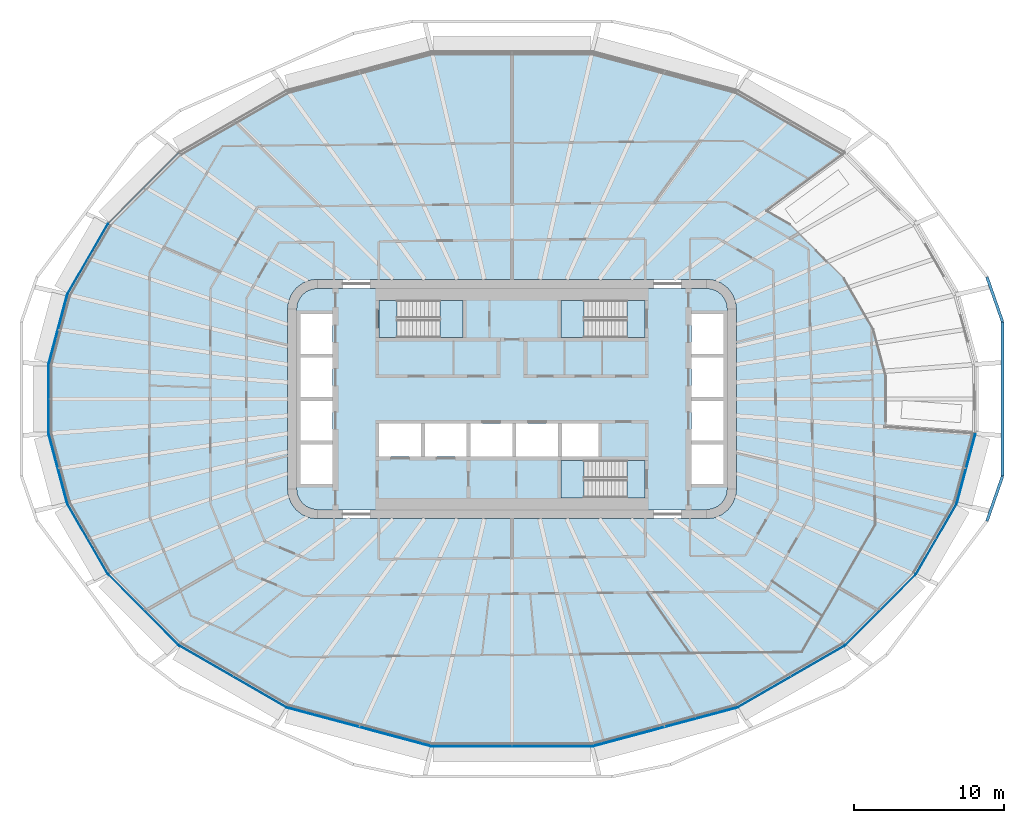
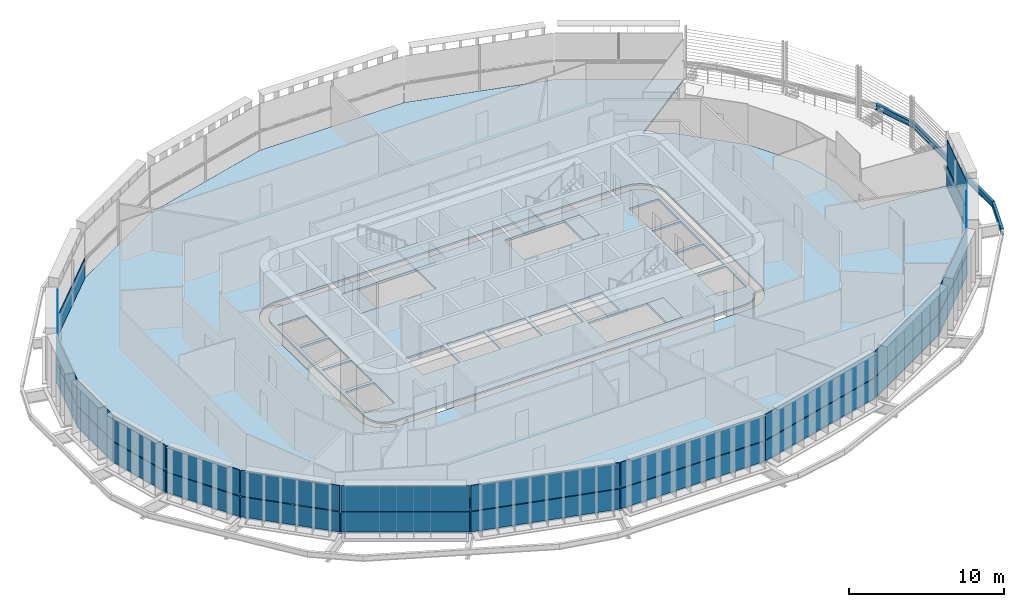
# One storey, part 11 of 24: 29 plates, 8 slabs, 3 beams, 18 elements without a shape of their own.
"""IFC4 building model written with IfcOpenShell, lengths in metres."""

from ifc_helpers import new_model, si_unit, direction, frame, origin, origin_2d, place, context, subcontext, project, spatial, polyline, i_section, outline, extrude, material, layer, layer_set, material_profile, profile_set, type_object, element, aggregate, save


model = new_model("IFC4")

# Units and contexts
model_context = context("Model", 3, precision=1e-05, world=origin(), true_north=direction((0.0, 1.0)))
body_context = subcontext(model_context, "Body", "Model", "MODEL_VIEW")
ifc_project = project(units=[si_unit("LENGTHUNIT", "METRE"), si_unit("AREAUNIT", "SQUARE_METRE"), si_unit("VOLUMEUNIT", "CUBIC_METRE"), si_unit("PLANEANGLEUNIT", "RADIAN"), si_unit("MASSUNIT", "GRAM", prefix="KILO")], contexts=[model_context])

# Site, building, storey
site_placement = place(None, origin())
site = spatial("IfcSite", under=ifc_project, at=site_placement, CompositionType="ELEMENT")
building_placement = place(site_placement, origin())
building = spatial("IfcBuilding", under=site, at=building_placement, Name="Sahrelin Media Tower", CompositionType="ELEMENT")
storey_placement = place(building_placement, frame((0.0, 0.0, 67.199951171875)))
storey = spatial("IfcBuildingStorey", under=building, at=storey_placement, Name="L11", CompositionType="ELEMENT", Elevation=67.199951171875)

# Beams
ifc_material_1 = material(Name="Steel S355", Category="steel")
ifc_material_profile = material_profile(ifc_material_1, i_section(OverallWidth=0.1904296875, OverallDepth=0.45703125, WebThickness=0.009033203125, FlangeThickness=0.014404296875, FilletRadius=0.01025390625, at=origin_2d()), Name="UB 457x191x74")
ifc_profile_set = profile_set([ifc_material_profile], Name="Steel S355")
beam_type = type_object("IfcBeamType", Name="Tie chord TC5", PredefinedType="BEAM", material=ifc_profile_set)
for number, where, z_axis, x_axis, name in (
    (1, (32.7822265625, 5.154052734375, -0.37841796875), (-0.328794988559, 0.944401321207, 0.0), (-0.944401321207, -0.328794988559, 0.0), "Tie chord L11-01"),
    (2, (31.73828125, -8.152587890625, -0.37841796875), (0.328794988559, 0.944401321207, 0.0), (-0.944401321207, 0.328794988559, 0.0), "Tie chord L11-23"),
):
    element("IfcBeam", number, at=place(storey_placement, frame(where, z_axis=z_axis, x_axis=x_axis)), inside=storey, type_object=beam_type, Name=name, PredefinedType="BEAM", context=body_context, shape_type="SweptSolid", body=[
        extrude(i_section(OverallWidth=0.1904296875, OverallDepth=0.45703125, WebThickness=0.009033203125, FlangeThickness=0.014404296875, FilletRadius=0.01025390625, at=origin_2d()), origin(), (0.0, 0.0, 1.0), 3.175048828125),
    ])
beam_placement = place(storey_placement, frame((32.7822265625, -5.154052734375, -0.37841796875), z_axis=(0.0, 1.0, 0.0), x_axis=(-1.0, 0.0, 0.0)))
element("IfcBeam", 3, at=beam_placement, inside=storey, type_object=beam_type, Name="Tie chord L11-24", PredefinedType="BEAM", context=body_context, shape_type="SweptSolid", body=[
    extrude(i_section(OverallWidth=0.1904296875, OverallDepth=0.45703125, WebThickness=0.009033203125, FlangeThickness=0.014404296875, FilletRadius=0.01025390625, at=origin_2d()), origin(), (0.0, 0.0, 1.0), 10.30810546875),
])

# Slabs
ifc_material_2 = material(Name="Concrete C40/50", Category="concrete")
ifc_layer_1 = layer(ifc_material_2, 0.14990234375)
ifc_layer_set_1 = layer_set([ifc_layer_1], Name="Composite floor slab 150")
slab_type_1 = type_object("IfcSlabType", Name="Composite floor slab 150", PredefinedType="FLOOR", material=ifc_layer_set_1)
placement_1 = place(storey_placement, frame((0.0, 0.0, -0.14990234375)))
element("IfcSlab", 4, at=placement_1, inside=storey, type_object=slab_type_1, Name="Floor slab L11", PredefinedType="FLOOR", context=body_context, shape_type="SweptSolid", body=[
    extrude(outline(polyline([(29.7109375, -6.9677734375), (30.95947265625, -2.307861328125), (24.889892578125, -1.855224609375), (24.979736328125, -1.519287109375), (24.979736328125, 1.519287109375), (24.138427734375, 4.65966796875), (22.1787109375, 8.0537109375), (18.568603515625, 11.663818359375), (16.9931640625, 12.573486328125), (22.235107421875, 16.4521484375), (15.02294921875, 20.6162109375), (5.367919921875, 23.203125), (-5.367919921875, 23.203125), (-15.02294921875, 20.6162109375), (-22.240478515625, 16.44921875), (-26.964111328125, 11.7255859375), (-29.7109375, 6.9677734375), (-30.959716796875, 2.306640625), (-30.959716796875, -2.306640625), (-29.7109375, -6.9677734375), (-26.964111328125, -11.7255859375), (-22.240478515625, -16.44921875), (-15.02294921875, -20.6162109375), (-5.367919921875, -23.203125), (5.367919921875, -23.203125), (15.02294921875, -20.6162109375), (22.240478515625, -16.44921875), (26.964111328125, -11.7255859375), (29.7109375, -6.9677734375)]), holes=[polyline([(14.732177734375, 7.0), (14.931884765625, 6.517578125), (15.0, 6.0), (15.0, -6.0), (14.931884765625, -6.517578125), (14.732177734375, -7.0), (14.414306640625, -7.414306640625), (14.0, -7.732177734375), (13.517578125, -7.931884765625), (13.0, -8.0), (-13.0, -8.0), (-13.517578125, -7.931884765625), (-14.0, -7.732177734375), (-14.414306640625, -7.414306640625), (-14.732177734375, -7.0), (-14.931884765625, -6.517578125), (-15.0, -6.0), (-15.0, 6.0), (-14.931884765625, 6.517578125), (-14.732177734375, 7.0), (-14.414306640625, 7.414306640625), (-14.0, 7.732177734375), (-13.517578125, 7.931884765625), (-13.0, 8.0), (13.0, 8.0), (13.517578125, 7.931884765625), (14.0, 7.732177734375), (14.414306640625, 7.414306640625), (14.732177734375, 7.0)])]), origin(), (0.0, 0.0, 1.0), 0.14990234375),
])
ifc_layer_2 = layer(ifc_material_2, 0.14990234375)
ifc_layer_set_2 = layer_set([ifc_layer_2], Name="Core floor slab 150")
slab_type_2 = type_object("IfcSlabType", Name="Core floor slab 150", PredefinedType="FLOOR", material=ifc_layer_set_2)
element("IfcSlab", 5, at=placement_1, inside=storey, type_object=slab_type_2, Name="Core floor", PredefinedType="FLOOR", context=body_context, shape_type="SweptSolid", body=[
    extrude(outline(polyline([(-14.347412109375, 6.361083984375), (-14.39990234375, 5.960693359375), (-14.39990234375, -5.960693359375), (-14.347412109375, -6.361083984375), (-14.2080078125, -6.697509765625), (-13.986328125, -6.986328125), (-13.697509765625, -7.2080078125), (-13.361083984375, -7.347412109375), (-12.960693359375, -7.39990234375), (12.960693359375, -7.39990234375), (13.361083984375, -7.347412109375), (13.697509765625, -7.2080078125), (13.986328125, -6.986328125), (14.2080078125, -6.697509765625), (14.347412109375, -6.361083984375), (14.39990234375, -5.960693359375), (14.39990234375, 5.960693359375), (14.347412109375, 6.361083984375), (14.2080078125, 6.697509765625), (13.986328125, 6.986328125), (13.697509765625, 7.2080078125), (13.361083984375, 7.347412109375), (12.960693359375, 7.39990234375), (-12.960693359375, 7.39990234375), (-13.361083984375, 7.347412109375), (-13.697509765625, 7.2080078125), (-13.986328125, 6.986328125), (-14.2080078125, 6.697509765625), (-14.347412109375, 6.361083984375)]), holes=[polyline([(-12.0, 3.02490234375), (-12.0, 5.675048828125), (-14.14990234375, 5.675048828125), (-14.14990234375, 3.02490234375), (-12.0, 3.02490234375)]), polyline([(-14.14990234375, 0.125), (-12.0, 0.125), (-12.0, 2.77490234375), (-14.14990234375, 2.77490234375), (-14.14990234375, 0.125)]), polyline([(-14.14990234375, -0.125), (-14.14990234375, -2.77490234375), (-12.0, -2.77490234375), (-12.0, -0.125), (-14.14990234375, -0.125)]), polyline([(-12.0, -3.02490234375), (-14.14990234375, -3.02490234375), (-14.14990234375, -5.675048828125), (-12.0, -5.675048828125), (-12.0, -3.02490234375)]), polyline([(14.14990234375, 3.02490234375), (14.14990234375, 5.675048828125), (12.0, 5.675048828125), (12.0, 3.02490234375), (14.14990234375, 3.02490234375)]), polyline([(12.0, 0.125), (14.14990234375, 0.125), (14.14990234375, 2.77490234375), (12.0, 2.77490234375), (12.0, 0.125)]), polyline([(12.0, -0.125), (12.0, -2.77490234375), (14.14990234375, -2.77490234375), (14.14990234375, -0.125), (12.0, -0.125)]), polyline([(14.14990234375, -3.02490234375), (12.0, -3.02490234375), (12.0, -5.675048828125), (14.14990234375, -5.675048828125), (14.14990234375, -3.02490234375)]), polyline([(-6.074951171875, -3.85009765625), (-6.074951171875, -1.64990234375), (-8.875, -1.64990234375), (-8.875, -3.85009765625), (-6.074951171875, -3.85009765625)]), polyline([(-5.824951171875, -3.85009765625), (-3.02490234375, -3.85009765625), (-3.02490234375, -1.64990234375), (-5.824951171875, -1.64990234375), (-5.824951171875, -3.85009765625)]), polyline([(-2.77490234375, -1.64990234375), (-2.77490234375, -3.85009765625), (0.02490234375, -3.85009765625), (0.02490234375, -1.64990234375), (-2.77490234375, -1.64990234375)]), polyline([(3.074951171875, -1.64990234375), (0.27490234375, -1.64990234375), (0.27490234375, -3.85009765625), (3.074951171875, -3.85009765625), (3.074951171875, -1.64990234375)]), polyline([(5.77490234375, -3.85009765625), (5.77490234375, -1.64990234375), (3.324951171875, -1.64990234375), (3.324951171875, -3.85009765625), (5.77490234375, -3.85009765625)]), polyline([(-8.875, 6.60009765625), (-8.875, 4.10009765625), (-3.27490234375, 4.10009765625), (-3.27490234375, 6.60009765625), (-8.875, 6.60009765625)]), polyline([(3.27490234375, 4.10009765625), (8.875, 4.10009765625), (8.875, 6.60009765625), (3.27490234375, 6.60009765625), (3.27490234375, 4.10009765625)]), polyline([(3.27490234375, -4.10009765625), (3.27490234375, -6.60009765625), (8.875, -6.60009765625), (8.875, -4.10009765625), (3.27490234375, -4.10009765625)])]), origin(), (0.0, 0.0, 1.0), 0.14990234375),
])

# Curtain wall, plate
ifc_material_3 = material(Name="Champagne anodised aluminium 6063-T6", Category="aluminium")
ifc_layer_3 = layer(ifc_material_3, 0.14990234375)
ifc_layer_set_3 = layer_set([ifc_layer_3], Name="Tower ribbon curtain wall")
curtain_wall_type = type_object("IfcCurtainWallType", Name="Tower ribbon curtain wall", PredefinedType="NOTDEFINED", material=ifc_layer_set_3)
curtain_wall_1_placement = place(storey_placement, frame((-28.354736328125, 9.356689453125, 0.0), z_axis=(0.0, 0.0, 1.0), x_axis=(1.0, 0.0, 0.0)))
curtain_wall_1 = element("IfcCurtainWall", 6, at=curtain_wall_1_placement, inside=storey, type_object=curtain_wall_type, Name="L11:CW:L11-10", PredefinedType="NOTDEFINED")
ifc_material_4 = material(Name="Clear low-iron glazing", Category="glass")
ifc_layer_4 = layer(ifc_material_4, 0.0400390625)
ifc_layer_set_4 = layer_set([ifc_layer_4], Name="Glazing panel 40 mm CW1")
plate_type_1 = type_object("IfcPlateType", Name="Glazing panel 40 mm CW1", PredefinedType="CURTAIN_PANEL", material=ifc_layer_set_4)
plate_1_placement = place(storey_placement, frame((-27.022216796875, 11.70458984375, 1.630126953125), z_axis=(-0.866033477751, 0.49998601522, 0.0), x_axis=(-0.49998601522, -0.866033477751, 0.0)))
plate_1 = element("IfcPlate", 7, at=plate_1_placement, type_object=plate_type_1, Name="L11:CWP2:L11-10", PredefinedType="CURTAIN_PANEL", context=body_context, shape_type="SweptSolid", body=[
    extrude(outline(polyline([(0.0, 0.0), (5.399169921875, 0.0), (5.399169921875, 2.0185546875), (0.0, 2.0185546875), (0.0, 0.0)])), origin(), (0.0, 0.0, -1.0), 0.0400390625),
])

curtain_wall_2_placement = place(storey_placement, frame((-30.3544921875, 4.642333984375, 0.0), z_axis=(0.0, 0.0, 1.0), x_axis=(1.0, 0.0, 0.0)))
curtain_wall_2 = element("IfcCurtainWall", 8, at=curtain_wall_2_placement, inside=storey, type_object=curtain_wall_type, Name="L11:CW:L11-11", PredefinedType="NOTDEFINED")
plate_2_placement = place(storey_placement, frame((-29.76171875, 6.932373046875, 1.630126953125), z_axis=(-0.965928471546, 0.258809172667, 0.0), x_axis=(-0.258809172667, -0.965928471546, 0.0)))
plate_2 = element("IfcPlate", 9, at=plate_2_placement, type_object=plate_type_1, Name="L11:CWP2:L11-11", PredefinedType="CURTAIN_PANEL", context=body_context, shape_type="SweptSolid", body=[
    extrude(outline(polyline([(0.0, 0.0), (4.730712890625, 0.0), (4.730712890625, 2.0185546875), (0.0, 2.0185546875), (0.0, 0.0)])), origin(), (0.0, 0.0, -1.0), 0.0400390625),
])

curtain_wall_3_placement = place(storey_placement, frame((-30.979736328125, 0.0, 0.0), z_axis=(0.0, 0.0, 1.0), x_axis=(1.0, 0.0, 0.0)))
curtain_wall_3 = element("IfcCurtainWall", 10, at=curtain_wall_3_placement, inside=storey, type_object=curtain_wall_type, Name="L11:CW:L11-12", PredefinedType="NOTDEFINED")
plate_3_placement = place(storey_placement, frame((-30.999755859375, 2.25927734375, 1.630126953125), z_axis=(-1.0, 0.0, 0.0), x_axis=(0.0, -1.0, 0.0)))
plate_3 = element("IfcPlate", 11, at=plate_3_placement, type_object=plate_type_1, Name="L11:CWP2:L11-12", PredefinedType="CURTAIN_PANEL", context=body_context, shape_type="SweptSolid", body=[
    extrude(outline(polyline([(0.0, 0.0), (4.5185546875, 0.0), (4.5185546875, 2.0185546875), (0.0, 2.0185546875), (0.0, 0.0)])), origin(), (0.0, 0.0, -1.0), 0.0400390625),
])

curtain_wall_4_placement = place(storey_placement, frame((-30.354736328125, -4.642333984375, 0.0), z_axis=(0.0, 0.0, 1.0), x_axis=(1.0, 0.0, 0.0)))
curtain_wall_4 = element("IfcCurtainWall", 12, at=curtain_wall_4_placement, inside=storey, type_object=curtain_wall_type, Name="L11:CW:L11-13", PredefinedType="NOTDEFINED")
plate_4_placement = place(storey_placement, frame((-30.986083984375, -2.36279296875, 1.630126953125), z_axis=(-0.965928471546, -0.258809172667, 0.0), x_axis=(0.258809172667, -0.965928471546, 0.0)))
plate_4 = element("IfcPlate", 13, at=plate_4_placement, type_object=plate_type_1, Name="L11:CWP2:L11-13", PredefinedType="CURTAIN_PANEL", context=body_context, shape_type="SweptSolid", body=[
    extrude(outline(polyline([(0.0, 0.0), (4.730712890625, 0.0), (4.730712890625, 2.0185546875), (0.0, 2.0185546875), (0.0, 0.0)])), origin(), (0.0, 0.0, -1.0), 0.0400390625),
])

curtain_wall_5_placement = place(storey_placement, frame((-28.354736328125, -9.356689453125, 0.0), z_axis=(0.0, 0.0, 1.0), x_axis=(1.0, 0.0, 0.0)))
curtain_wall_5 = element("IfcCurtainWall", 14, at=curtain_wall_5_placement, inside=storey, type_object=curtain_wall_type, Name="L11:CW:L11-14", PredefinedType="NOTDEFINED")
plate_5_placement = place(storey_placement, frame((-29.7216796875, -7.02880859375, 1.630126953125), z_axis=(-0.866033477751, -0.49998601522, 0.0), x_axis=(0.49998601522, -0.866033477751, 0.0)))
plate_5 = element("IfcPlate", 15, at=plate_5_placement, type_object=plate_type_1, Name="L11:CWP2:L11-14", PredefinedType="CURTAIN_PANEL", context=body_context, shape_type="SweptSolid", body=[
    extrude(outline(polyline([(0.0, 0.0), (5.399169921875, 0.0), (5.399169921875, 2.0185546875), (0.0, 2.0185546875), (0.0, 0.0)])), origin(), (0.0, 0.0, -1.0), 0.0400390625),
])

curtain_wall_6_placement = place(storey_placement, frame((-24.616455078125, -14.101318359375, 0.0), z_axis=(0.0, 0.0, 1.0), x_axis=(1.0, 0.0, 0.0)))
curtain_wall_6 = element("IfcCurtainWall", 16, at=curtain_wall_6_placement, inside=storey, type_object=curtain_wall_type, Name="L11:CW:L11-15", PredefinedType="NOTDEFINED")
plate_6_placement = place(storey_placement, frame((-26.958740234375, -11.787353515625, 1.630126953125), z_axis=(-0.707106781187, -0.707106781187, 0.0), x_axis=(0.707106781187, -0.707106781187, 0.0)))
plate_6 = element("IfcPlate", 17, at=plate_6_placement, type_object=plate_type_1, Name="L11:CWP2:L11-15", PredefinedType="CURTAIN_PANEL", context=body_context, shape_type="SweptSolid", body=[
    extrude(outline(polyline([(0.0, 0.0), (6.585205078125, 0.0), (6.585205078125, 2.0185546875), (0.0, 2.0185546875), (0.0, 0.0)])), origin(), (0.0, 0.0, -1.0), 0.0400390625),
])

curtain_wall_7_placement = place(storey_placement, frame((-18.6416015625, -18.5498046875, 0.0), z_axis=(0.0, 0.0, 1.0), x_axis=(1.0, 0.0, 0.0)))
curtain_wall_7 = element("IfcCurtainWall", 18, at=curtain_wall_7_placement, inside=storey, type_object=curtain_wall_type, Name="L11:CW:L11-16", PredefinedType="NOTDEFINED")
plate_7_placement = place(storey_placement, frame((-22.219482421875, -16.50732421875, 1.630126953125), z_axis=(-0.50001741567, -0.866015348609, 0.0), x_axis=(0.866015348609, -0.50001741567, 0.0)))
plate_7 = element("IfcPlate", 19, at=plate_7_placement, type_object=plate_type_1, Name="L11:CWP2:L11-16", PredefinedType="CURTAIN_PANEL", context=body_context, shape_type="SweptSolid", body=[
    extrude(outline(polyline([(0.0, 0.0), (8.239501953125, 0.0), (8.239501953125, 2.0185546875), (0.0, 2.0185546875), (0.0, 0.0)])), origin(), (0.0, 0.0, -1.0), 0.0400390625),
])

curtain_wall_8_placement = place(storey_placement, frame((-10.200439453125, -21.928955078125, 0.0), z_axis=(0.0, 0.0, 1.0), x_axis=(1.0, 0.0, 0.0)))
curtain_wall_8 = element("IfcCurtainWall", 20, at=curtain_wall_8_placement, inside=storey, type_object=curtain_wall_type, Name="L11:CW:L11-17", PredefinedType="NOTDEFINED")
plate_8_placement = place(storey_placement, frame((-14.987548828125, -20.6669921875, 1.630126953125), z_axis=(-0.258810447315, -0.965928130018, 0.0), x_axis=(0.965928130018, -0.258810447315, 0.0)))
plate_8 = element("IfcPlate", 21, at=plate_8_placement, type_object=plate_type_1, Name="L11:CWP2:L11-17", PredefinedType="CURTAIN_PANEL", context=body_context, shape_type="SweptSolid", body=[
    extrude(outline(polyline([(0.0, 0.0), (9.901123046875, 0.0), (9.901123046875, 2.0185546875), (0.0, 2.0185546875), (0.0, 0.0)])), origin(), (0.0, 0.0, -1.0), 0.0400390625),
])

curtain_wall_9_placement = place(storey_placement, frame((0.0, -23.22314453125, 0.0), z_axis=(0.0, 0.0, 1.0), x_axis=(1.0, 0.0, 0.0)))
curtain_wall_9 = element("IfcCurtainWall", 22, at=curtain_wall_9_placement, inside=storey, type_object=curtain_wall_type, Name="L11:CW:L11-18", PredefinedType="NOTDEFINED")
plate_9_placement = place(storey_placement, frame((-5.3203125, -23.2431640625, 1.630126953125), z_axis=(0.0, -1.0, 0.0), x_axis=(1.0, 0.0, 0.0)))
plate_9 = element("IfcPlate", 23, at=plate_9_placement, type_object=plate_type_1, Name="L11:CWP2:L11-18", PredefinedType="CURTAIN_PANEL", context=body_context, shape_type="SweptSolid", body=[
    extrude(outline(polyline([(0.0, 0.0), (10.640625, 0.0), (10.640625, 2.0185546875), (0.0, 2.0185546875), (0.0, 0.0)])), origin(), (0.0, 0.0, -1.0), 0.0400390625),
])

curtain_wall_10_placement = place(storey_placement, frame((10.200439453125, -21.928955078125, 0.0), z_axis=(0.0, 0.0, 1.0), x_axis=(1.0, 0.0, 0.0)))
curtain_wall_10 = element("IfcCurtainWall", 24, at=curtain_wall_10_placement, inside=storey, type_object=curtain_wall_type, Name="L11:CW:L11-19", PredefinedType="NOTDEFINED")
plate_10_placement = place(storey_placement, frame((5.423828125, -23.2294921875, 1.630126953125), z_axis=(0.258810447315, -0.965928130018, 0.0), x_axis=(0.965928130018, 0.258810447315, 0.0)))
plate_10 = element("IfcPlate", 25, at=plate_10_placement, type_object=plate_type_1, Name="L11:CWP2:L11-19", PredefinedType="CURTAIN_PANEL", context=body_context, shape_type="SweptSolid", body=[
    extrude(outline(polyline([(0.0, 0.0), (9.901123046875, 0.0), (9.901123046875, 2.0185546875), (0.0, 2.0185546875), (0.0, 0.0)])), origin(), (0.0, 0.0, -1.0), 0.0400390625),
])

curtain_wall_11_placement = place(storey_placement, frame((18.6416015625, -18.5498046875, 0.0), z_axis=(0.0, 0.0, 1.0), x_axis=(1.0, 0.0, 0.0)))
curtain_wall_11 = element("IfcCurtainWall", 26, at=curtain_wall_11_placement, inside=storey, type_object=curtain_wall_type, Name="L11:CW:L11-20", PredefinedType="NOTDEFINED")
plate_11_placement = place(storey_placement, frame((15.083984375, -20.627197265625, 1.630126953125), z_axis=(0.50001741567, -0.866015348609, 0.0), x_axis=(0.866015348609, 0.50001741567, 0.0)))
plate_11 = element("IfcPlate", 27, at=plate_11_placement, type_object=plate_type_1, Name="L11:CWP2:L11-20", PredefinedType="CURTAIN_PANEL", context=body_context, shape_type="SweptSolid", body=[
    extrude(outline(polyline([(0.0, 0.0), (8.239501953125, 0.0), (8.239501953125, 2.0185546875), (0.0, 2.0185546875), (0.0, 0.0)])), origin(), (0.0, 0.0, -1.0), 0.0400390625),
])

curtain_wall_12_placement = place(storey_placement, frame((24.616455078125, -14.101318359375, 0.0), z_axis=(0.0, 0.0, 1.0), x_axis=(1.0, 0.0, 0.0)))
curtain_wall_12 = element("IfcCurtainWall", 28, at=curtain_wall_12_placement, inside=storey, type_object=curtain_wall_type, Name="L11:CW:L11-21", PredefinedType="NOTDEFINED")
plate_12_placement = place(storey_placement, frame((22.30224609375, -16.44384765625, 1.630126953125), z_axis=(0.707106781187, -0.707106781187, 0.0), x_axis=(0.707106781187, 0.707106781187, 0.0)))
plate_12 = element("IfcPlate", 29, at=plate_12_placement, type_object=plate_type_1, Name="L11:CWP2:L11-21", PredefinedType="CURTAIN_PANEL", context=body_context, shape_type="SweptSolid", body=[
    extrude(outline(polyline([(0.0, 0.0), (6.585205078125, 0.0), (6.585205078125, 2.0185546875), (0.0, 2.0185546875), (0.0, 0.0)])), origin(), (0.0, 0.0, -1.0), 0.0400390625),
])

curtain_wall_13_placement = place(storey_placement, frame((28.354736328125, -9.356689453125, 0.0), z_axis=(0.0, 0.0, 1.0), x_axis=(1.0, 0.0, 0.0)))
curtain_wall_13 = element("IfcCurtainWall", 30, at=curtain_wall_13_placement, inside=storey, type_object=curtain_wall_type, Name="L11:CW:L11-22", PredefinedType="NOTDEFINED")
plate_13_placement = place(storey_placement, frame((27.022216796875, -11.70458984375, 1.630126953125), z_axis=(0.866033477751, -0.49998601522, 0.0), x_axis=(0.49998601522, 0.866033477751, 0.0)))
plate_13 = element("IfcPlate", 31, at=plate_13_placement, type_object=plate_type_1, Name="L11:CWP2:L11-22", PredefinedType="CURTAIN_PANEL", context=body_context, shape_type="SweptSolid", body=[
    extrude(outline(polyline([(0.0, 0.0), (5.399169921875, 0.0), (5.399169921875, 2.0185546875), (0.0, 2.0185546875), (0.0, 0.0)])), origin(), (0.0, 0.0, -1.0), 0.0400390625),
])

curtain_wall_14_placement = place(storey_placement, frame((30.3544921875, -4.642333984375, 0.0), z_axis=(0.0, 0.0, 1.0), x_axis=(1.0, 0.0, 0.0)))
curtain_wall_14 = element("IfcCurtainWall", 32, at=curtain_wall_14_placement, inside=storey, type_object=curtain_wall_type, Name="L11:CW:L11-23", PredefinedType="NOTDEFINED")
plate_14_placement = place(storey_placement, frame((29.76171875, -6.932373046875, 1.630126953125), z_axis=(0.965928471546, -0.258809172667, 0.0), x_axis=(0.258809172667, 0.965928471546, 0.0)))
plate_14 = element("IfcPlate", 33, at=plate_14_placement, type_object=plate_type_1, Name="L11:CWP2:L11-23", PredefinedType="CURTAIN_PANEL", context=body_context, shape_type="SweptSolid", body=[
    extrude(outline(polyline([(0.0, 0.0), (4.730712890625, 0.0), (4.730712890625, 2.0185546875), (0.0, 2.0185546875), (0.0, 0.0)])), origin(), (0.0, 0.0, -1.0), 0.0400390625),
])

curtain_wall_15_placement = place(storey_placement, frame((-24.616455078125, 14.101318359375, 0.0), z_axis=(0.0, 0.0, 1.0), x_axis=(1.0, 0.0, 0.0)))
curtain_wall_15 = element("IfcCurtainWall", 34, at=curtain_wall_15_placement, inside=storey, type_object=curtain_wall_type, Name="L11:CW:L11-09", PredefinedType="NOTDEFINED")
ifc_material_5 = material(Name="Insulated spandrel panel")
ifc_layer_5 = layer(ifc_material_5, 0.06005859375)
ifc_layer_set_5 = layer_set([ifc_layer_5], Name="Spandrel panel 60 mm CW1")
plate_type_2 = type_object("IfcPlateType", Name="Spandrel panel 60 mm CW1", PredefinedType="SHEET", material=ifc_layer_set_5)
plate_15_placement = place(storey_placement, frame((-22.30224609375, 16.44384765625, 0.0), z_axis=(-0.707106781187, 0.707106781187, 0.0), x_axis=(-0.707106781187, -0.707106781187, 0.0)))
plate_15 = element("IfcPlate", 35, at=plate_15_placement, type_object=plate_type_2, Name="L11:CWP1:L11-09", PredefinedType="SHEET", context=body_context, shape_type="SweptSolid", body=[
    extrude(outline(polyline([(0.0, 0.0), (6.585205078125, 0.0), (6.585205078125, 1.570068359375), (0.0, 1.570068359375), (0.0, 0.0)])), origin(), (0.0, 0.0, -1.0), 0.06005859375),
])
aggregate(curtain_wall_15, [plate_15])

# Plate
plate_16_placement = place(storey_placement, frame((-27.022216796875, 11.70458984375, 0.0), z_axis=(-0.866033477751, 0.49998601522, 0.0), x_axis=(-0.49998601522, -0.866033477751, 0.0)))
plate_16 = element("IfcPlate", 36, at=plate_16_placement, type_object=plate_type_2, Name="L11:CWP1:L11-10", PredefinedType="SHEET", context=body_context, shape_type="SweptSolid", body=[
    extrude(outline(polyline([(0.0, 0.0), (5.399169921875, 0.0), (5.399169921875, 1.570068359375), (0.0, 1.570068359375), (0.0, 0.0)])), origin(), (0.0, 0.0, -1.0), 0.06005859375),
])

aggregate(curtain_wall_1, [plate_16, plate_1])

plate_17_placement = place(storey_placement, frame((-29.76171875, 6.932373046875, 0.0), z_axis=(-0.965928471546, 0.258809172667, 0.0), x_axis=(-0.258809172667, -0.965928471546, 0.0)))
plate_17 = element("IfcPlate", 37, at=plate_17_placement, type_object=plate_type_2, Name="L11:CWP1:L11-11", PredefinedType="SHEET", context=body_context, shape_type="SweptSolid", body=[
    extrude(outline(polyline([(0.0, 0.0), (4.730712890625, 0.0), (4.730712890625, 1.570068359375), (0.0, 1.570068359375), (0.0, 0.0)])), origin(), (0.0, 0.0, -1.0), 0.06005859375),
])

aggregate(curtain_wall_2, [plate_17, plate_2])

plate_18_placement = place(storey_placement, frame((-30.999755859375, 2.25927734375, 0.0), z_axis=(-1.0, 0.0, 0.0), x_axis=(0.0, -1.0, 0.0)))
plate_18 = element("IfcPlate", 38, at=plate_18_placement, type_object=plate_type_2, Name="L11:CWP1:L11-12", PredefinedType="SHEET", context=body_context, shape_type="SweptSolid", body=[
    extrude(outline(polyline([(0.0, 0.0), (4.5185546875, 0.0), (4.5185546875, 1.570068359375), (0.0, 1.570068359375), (0.0, 0.0)])), origin(), (0.0, 0.0, -1.0), 0.06005859375),
])

aggregate(curtain_wall_3, [plate_18, plate_3])

plate_19_placement = place(storey_placement, frame((-30.986083984375, -2.36279296875, 0.0), z_axis=(-0.965928471546, -0.258809172667, 0.0), x_axis=(0.258809172667, -0.965928471546, 0.0)))
plate_19 = element("IfcPlate", 39, at=plate_19_placement, type_object=plate_type_2, Name="L11:CWP1:L11-13", PredefinedType="SHEET", context=body_context, shape_type="SweptSolid", body=[
    extrude(outline(polyline([(0.0, 0.0), (4.730712890625, 0.0), (4.730712890625, 1.570068359375), (0.0, 1.570068359375), (0.0, 0.0)])), origin(), (0.0, 0.0, -1.0), 0.06005859375),
])

aggregate(curtain_wall_4, [plate_19, plate_4])

plate_20_placement = place(storey_placement, frame((-29.7216796875, -7.02880859375, 0.0), z_axis=(-0.866033477751, -0.49998601522, 0.0), x_axis=(0.49998601522, -0.866033477751, 0.0)))
plate_20 = element("IfcPlate", 40, at=plate_20_placement, type_object=plate_type_2, Name="L11:CWP1:L11-14", PredefinedType="SHEET", context=body_context, shape_type="SweptSolid", body=[
    extrude(outline(polyline([(0.0, 0.0), (5.399169921875, 0.0), (5.399169921875, 1.570068359375), (0.0, 1.570068359375), (0.0, 0.0)])), origin(), (0.0, 0.0, -1.0), 0.06005859375),
])

aggregate(curtain_wall_5, [plate_20, plate_5])

plate_21_placement = place(storey_placement, frame((-26.958740234375, -11.787353515625, 0.0), z_axis=(-0.707106781187, -0.707106781187, 0.0), x_axis=(0.707106781187, -0.707106781187, 0.0)))
plate_21 = element("IfcPlate", 41, at=plate_21_placement, type_object=plate_type_2, Name="L11:CWP1:L11-15", PredefinedType="SHEET", context=body_context, shape_type="SweptSolid", body=[
    extrude(outline(polyline([(0.0, 0.0), (6.585205078125, 0.0), (6.585205078125, 1.570068359375), (0.0, 1.570068359375), (0.0, 0.0)])), origin(), (0.0, 0.0, -1.0), 0.06005859375),
])

aggregate(curtain_wall_6, [plate_21, plate_6])

plate_22_placement = place(storey_placement, frame((-22.219482421875, -16.50732421875, 0.0), z_axis=(-0.50001741567, -0.866015348609, 0.0), x_axis=(0.866015348609, -0.50001741567, 0.0)))
plate_22 = element("IfcPlate", 42, at=plate_22_placement, type_object=plate_type_2, Name="L11:CWP1:L11-16", PredefinedType="SHEET", context=body_context, shape_type="SweptSolid", body=[
    extrude(outline(polyline([(0.0, 0.0), (8.239501953125, 0.0), (8.239501953125, 1.570068359375), (0.0, 1.570068359375), (0.0, 0.0)])), origin(), (0.0, 0.0, -1.0), 0.06005859375),
])

aggregate(curtain_wall_7, [plate_22, plate_7])

plate_23_placement = place(storey_placement, frame((-14.987548828125, -20.6669921875, 0.0), z_axis=(-0.258810447315, -0.965928130018, 0.0), x_axis=(0.965928130018, -0.258810447315, 0.0)))
plate_23 = element("IfcPlate", 43, at=plate_23_placement, type_object=plate_type_2, Name="L11:CWP1:L11-17", PredefinedType="SHEET", context=body_context, shape_type="SweptSolid", body=[
    extrude(outline(polyline([(0.0, 0.0), (9.901123046875, 0.0), (9.901123046875, 1.570068359375), (0.0, 1.570068359375), (0.0, 0.0)])), origin(), (0.0, 0.0, -1.0), 0.06005859375),
])

aggregate(curtain_wall_8, [plate_23, plate_8])

plate_24_placement = place(storey_placement, frame((-5.3203125, -23.2431640625, 0.0), z_axis=(0.0, -1.0, 0.0), x_axis=(1.0, 0.0, 0.0)))
plate_24 = element("IfcPlate", 44, at=plate_24_placement, type_object=plate_type_2, Name="L11:CWP1:L11-18", PredefinedType="SHEET", context=body_context, shape_type="SweptSolid", body=[
    extrude(outline(polyline([(0.0, 0.0), (10.640625, 0.0), (10.640625, 1.570068359375), (0.0, 1.570068359375), (0.0, 0.0)])), origin(), (0.0, 0.0, -1.0), 0.06005859375),
])

aggregate(curtain_wall_9, [plate_24, plate_9])

plate_25_placement = place(storey_placement, frame((5.423828125, -23.2294921875, 0.0), z_axis=(0.258810447315, -0.965928130018, 0.0), x_axis=(0.965928130018, 0.258810447315, 0.0)))
plate_25 = element("IfcPlate", 45, at=plate_25_placement, type_object=plate_type_2, Name="L11:CWP1:L11-19", PredefinedType="SHEET", context=body_context, shape_type="SweptSolid", body=[
    extrude(outline(polyline([(0.0, 0.0), (9.901123046875, 0.0), (9.901123046875, 1.570068359375), (0.0, 1.570068359375), (0.0, 0.0)])), origin(), (0.0, 0.0, -1.0), 0.06005859375),
])

aggregate(curtain_wall_10, [plate_25, plate_10])

plate_26_placement = place(storey_placement, frame((15.083984375, -20.627197265625, 0.0), z_axis=(0.50001741567, -0.866015348609, 0.0), x_axis=(0.866015348609, 0.50001741567, 0.0)))
plate_26 = element("IfcPlate", 46, at=plate_26_placement, type_object=plate_type_2, Name="L11:CWP1:L11-20", PredefinedType="SHEET", context=body_context, shape_type="SweptSolid", body=[
    extrude(outline(polyline([(0.0, 0.0), (8.239501953125, 0.0), (8.239501953125, 1.570068359375), (0.0, 1.570068359375), (0.0, 0.0)])), origin(), (0.0, 0.0, -1.0), 0.06005859375),
])

aggregate(curtain_wall_11, [plate_26, plate_11])

plate_27_placement = place(storey_placement, frame((22.30224609375, -16.44384765625, 0.0), z_axis=(0.707106781187, -0.707106781187, 0.0), x_axis=(0.707106781187, 0.707106781187, 0.0)))
plate_27 = element("IfcPlate", 47, at=plate_27_placement, type_object=plate_type_2, Name="L11:CWP1:L11-21", PredefinedType="SHEET", context=body_context, shape_type="SweptSolid", body=[
    extrude(outline(polyline([(0.0, 0.0), (6.585205078125, 0.0), (6.585205078125, 1.570068359375), (0.0, 1.570068359375), (0.0, 0.0)])), origin(), (0.0, 0.0, -1.0), 0.06005859375),
])

aggregate(curtain_wall_12, [plate_27, plate_12])

plate_28_placement = place(storey_placement, frame((27.022216796875, -11.70458984375, 0.0), z_axis=(0.866033477751, -0.49998601522, 0.0), x_axis=(0.49998601522, 0.866033477751, 0.0)))
plate_28 = element("IfcPlate", 48, at=plate_28_placement, type_object=plate_type_2, Name="L11:CWP1:L11-22", PredefinedType="SHEET", context=body_context, shape_type="SweptSolid", body=[
    extrude(outline(polyline([(0.0, 0.0), (5.399169921875, 0.0), (5.399169921875, 1.570068359375), (0.0, 1.570068359375), (0.0, 0.0)])), origin(), (0.0, 0.0, -1.0), 0.06005859375),
])

aggregate(curtain_wall_13, [plate_28, plate_13])

plate_29_placement = place(storey_placement, frame((29.76171875, -6.932373046875, 0.0), z_axis=(0.965928471546, -0.258809172667, 0.0), x_axis=(0.258809172667, 0.965928471546, 0.0)))
plate_29 = element("IfcPlate", 49, at=plate_29_placement, type_object=plate_type_2, Name="L11:CWP1:L11-23", PredefinedType="SHEET", context=body_context, shape_type="SweptSolid", body=[
    extrude(outline(polyline([(0.0, 0.0), (4.730712890625, 0.0), (4.730712890625, 1.570068359375), (0.0, 1.570068359375), (0.0, 0.0)])), origin(), (0.0, 0.0, -1.0), 0.06005859375),
])

aggregate(curtain_wall_14, [plate_29, plate_14])

# Stair, slabs
stair_type = type_object("IfcStairType", Name="Exit stair 1200", PredefinedType="HALF_TURN_STAIR", material=ifc_material_2)
placement_2 = place(storey_placement, origin())
stair_1 = element("IfcStair", 50, at=placement_2, inside=storey, type_object=stair_type, Name="L11 Exit stair ST1", PredefinedType="HALF_TURN_STAIR")
ifc_layer_6 = layer(ifc_material_2, 0.199951171875)
ifc_layer_set_6 = layer_set([ifc_layer_6], Name="Stair landing 200")
slab_type_3 = type_object("IfcSlabType", Name="Stair landing 200", PredefinedType="LANDING", material=ifc_layer_set_6)
placement_3 = place(storey_placement, frame((0.0, 0.0, 1.900146484375)))
slab_3 = element("IfcSlab", 51, at=placement_3, type_object=slab_type_3, Name="ST1 landing 1", PredefinedType="LANDING", context=body_context, shape_type="SweptSolid", body=[
    extrude(outline(polyline([(-4.81494140625, 4.10009765625), (-3.27490234375, 4.10009765625), (-3.27490234375, 6.60009765625), (-4.81494140625, 6.60009765625), (-4.81494140625, 4.10009765625)])), origin(), (0.0, 0.0, 1.0), 0.199951171875),
])
placement_4 = place(storey_placement, frame((0.0, 0.0, -0.199951171875)))
slab_4 = element("IfcSlab", 52, at=placement_4, type_object=slab_type_3, Name="ST1 landing 2", PredefinedType="LANDING", context=body_context, shape_type="SweptSolid", body=[
    extrude(outline(polyline([(-8.875, 4.10009765625), (-7.675048828125, 4.10009765625), (-7.675048828125, 6.60009765625), (-8.875, 6.60009765625), (-8.875, 4.10009765625)])), origin(), (0.0, 0.0, 1.0), 0.199951171875),
])
aggregate(stair_1, [slab_3, slab_4])

stair_2 = element("IfcStair", 53, at=placement_2, inside=storey, type_object=stair_type, Name="L11 Exit stair ST3", PredefinedType="HALF_TURN_STAIR")
slab_5 = element("IfcSlab", 54, at=placement_3, type_object=slab_type_3, Name="ST3 landing 1", PredefinedType="LANDING", context=body_context, shape_type="SweptSolid", body=[
    extrude(outline(polyline([(4.81494140625, 6.60009765625), (3.27490234375, 6.60009765625), (3.27490234375, 4.10009765625), (4.81494140625, 4.10009765625), (4.81494140625, 6.60009765625)])), origin(), (0.0, 0.0, 1.0), 0.199951171875),
])
slab_6 = element("IfcSlab", 55, at=placement_4, type_object=slab_type_3, Name="ST3 landing 2", PredefinedType="LANDING", context=body_context, shape_type="SweptSolid", body=[
    extrude(outline(polyline([(8.875, 6.60009765625), (7.675048828125, 6.60009765625), (7.675048828125, 4.10009765625), (8.875, 4.10009765625), (8.875, 6.60009765625)])), origin(), (0.0, 0.0, 1.0), 0.199951171875),
])
aggregate(stair_2, [slab_5, slab_6])

stair_3 = element("IfcStair", 56, at=placement_2, inside=storey, type_object=stair_type, Name="L11 Exit stair ST2", PredefinedType="HALF_TURN_STAIR")
slab_7 = element("IfcSlab", 57, at=placement_3, type_object=slab_type_3, Name="ST2 landing 1", PredefinedType="LANDING", context=body_context, shape_type="SweptSolid", body=[
    extrude(outline(polyline([(4.81494140625, -4.10009765625), (3.27490234375, -4.10009765625), (3.27490234375, -6.60009765625), (4.81494140625, -6.60009765625), (4.81494140625, -4.10009765625)])), origin(), (0.0, 0.0, 1.0), 0.199951171875),
])
slab_8 = element("IfcSlab", 58, at=placement_4, type_object=slab_type_3, Name="ST2 landing 2", PredefinedType="LANDING", context=body_context, shape_type="SweptSolid", body=[
    extrude(outline(polyline([(8.875, -4.10009765625), (7.675048828125, -4.10009765625), (7.675048828125, -6.60009765625), (8.875, -6.60009765625), (8.875, -4.10009765625)])), origin(), (0.0, 0.0, 1.0), 0.199951171875),
])
aggregate(stair_3, [slab_7, slab_8])

save(model, "model.ifc")
